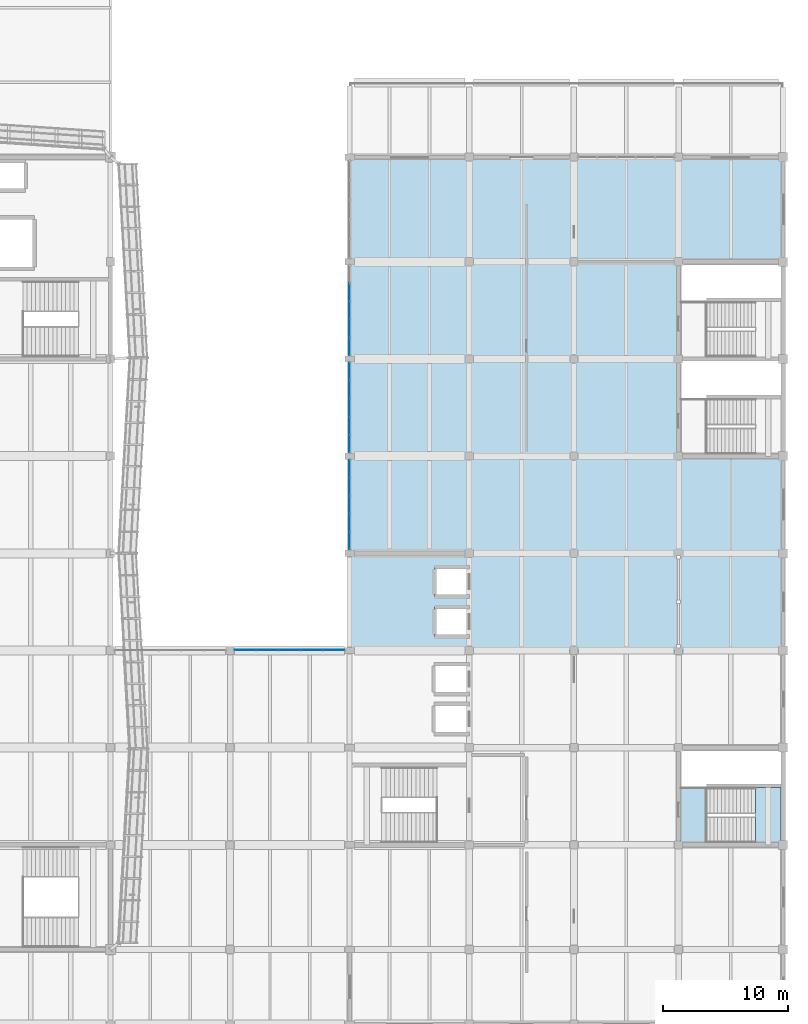
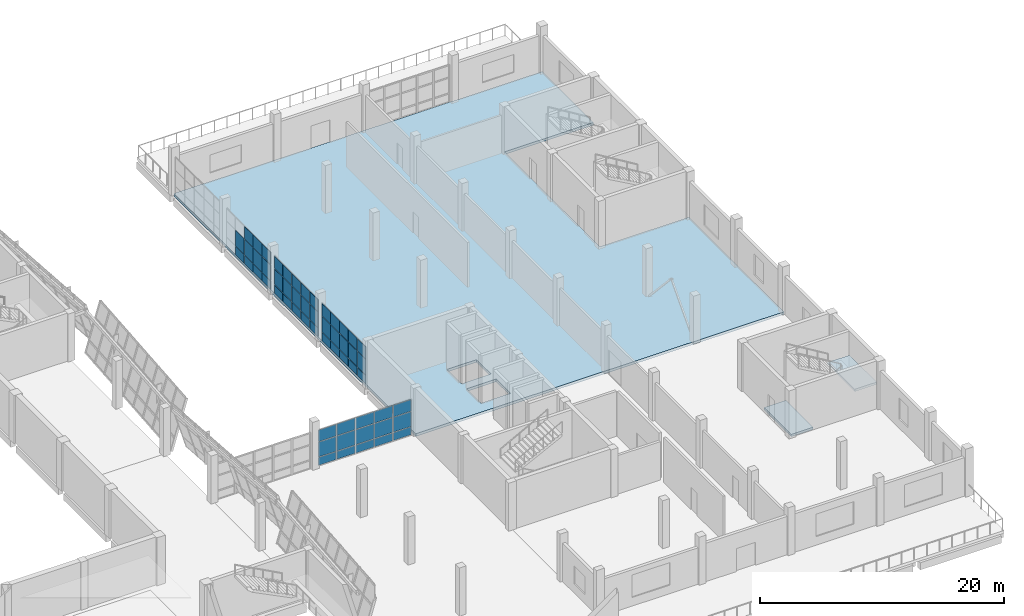
# One storey, part 58 of 79: 56 plates, 3 slabs, 5 elements without a shape of their own.
"""IFC4 building model written with IfcOpenShell, lengths in metres."""

from ifc_helpers import new_model, si_unit, direction, frame, origin, place, context, subcontext, project, spatial, polyline, outline, extrude, material, layer, layer_set, type_object, element, aggregate, save


model = new_model("IFC4")

# Units and contexts
model_context = context("Model", 3, precision=1e-05, world=origin(), true_north=direction((0.0, 1.0)))
body_context = subcontext(model_context, "Body", "Model", "MODEL_VIEW")
ifc_project = project(units=[si_unit("LENGTHUNIT", "METRE"), si_unit("AREAUNIT", "SQUARE_METRE"), si_unit("VOLUMEUNIT", "CUBIC_METRE"), si_unit("PLANEANGLEUNIT", "RADIAN"), si_unit("MASSUNIT", "GRAM", prefix="KILO")], contexts=[model_context])

# Site, building, storey
site_placement = place(None, origin())
site = spatial("IfcSite", under=ifc_project, at=site_placement, CompositionType="ELEMENT")
building_placement = place(site_placement, origin())
building = spatial("IfcBuilding", under=site, at=building_placement, Name="Pellamere Symphony Hall", CompositionType="ELEMENT")
storey_placement = place(building_placement, frame((0.0, 0.0, 10.199951171875)))
storey = spatial("IfcBuildingStorey", under=building, at=storey_placement, Name="L02", CompositionType="ELEMENT", Elevation=10.199951171875)

# Curtain wall, plates
ifc_material_1 = material(Name="Thermally Broken Anodised Aluminium 6063-T6 Curtain Wall", Category="aluminium")
curtain_wall_type_1 = type_object("IfcCurtainWallType", Name="Curtain Wall CW-03 (Sculpture Court Glazed Link Curtain Wall)", PredefinedType="NOTDEFINED", material=ifc_material_1)
curtain_wall_1_placement = place(storey_placement, origin())
curtain_wall_1 = element("IfcCurtainWall", 1, at=curtain_wall_1_placement, inside=storey, type_object=curtain_wall_type_1, Name="Sculpture Court Link Curtain Wall (L02 Bay 2)", PredefinedType="NOTDEFINED")
ifc_material_2 = material(Name="Brushed Champagne-Anodised Aluminium Acoustic Cassette", Category="aluminium")
ifc_layer_1 = layer(ifc_material_2, 0.044921875, Name="Brushed Champagne-Anodised Aluminium Acoustic Cassette")
ifc_layer_set_1 = layer_set([ifc_layer_1], Name="Brushed Champagne-Anodised Aluminium Acoustic Cassette")
plate_type_1 = type_object("IfcPlateType", Name="Facade Panel CL-02 45mm", PredefinedType="CURTAIN_PANEL", material=ifc_layer_set_1)
plate_1_placement = place(storey_placement, frame((128.784912109375, 54.0, 0.06005859375), z_axis=(0.0, -1.0, 0.0), x_axis=(1.0, 0.0, 0.0)))
plate_1 = element("IfcPlate", 2, at=plate_1_placement, type_object=plate_type_1, Name="CW3-106 crystal glass panel 1.1", PredefinedType="CURTAIN_PANEL", context=body_context, shape_type="SweptSolid", body=[
    extrude(outline(polyline([(0.0, 0.0), (1.690185546875, 0.0), (1.690185546875, 0.78369140625), (0.0, 0.78369140625), (0.0, 0.0)])), origin(), (0.0, 0.0, -1.0), 0.044921875),
])
plate_2_placement = place(storey_placement, frame((128.784912109375, 54.0, 0.903564453125), z_axis=(0.0, -1.0, 0.0), x_axis=(1.0, 0.0, 0.0)))
plate_2 = element("IfcPlate", 3, at=plate_2_placement, type_object=plate_type_1, Name="CW3-106 crystal glass panel 1.2", PredefinedType="CURTAIN_PANEL", context=body_context, shape_type="SweptSolid", body=[
    extrude(outline(polyline([(0.0, 0.0), (1.690185546875, 0.0), (1.690185546875, 1.468994140625), (0.0, 1.468994140625), (0.0, 0.0)])), origin(), (0.0, 0.0, -1.0), 0.044921875),
])
plate_3_placement = place(storey_placement, frame((128.784912109375, 54.0, 2.432373046875), z_axis=(0.0, -1.0, 0.0), x_axis=(1.0, 0.0, 0.0)))
plate_3 = element("IfcPlate", 4, at=plate_3_placement, type_object=plate_type_1, Name="CW3-106 crystal glass panel 1.3", PredefinedType="CURTAIN_PANEL", context=body_context, shape_type="SweptSolid", body=[
    extrude(outline(polyline([(0.0, 0.0), (1.690185546875, 0.0), (1.690185546875, 1.147705078125), (0.0, 1.147705078125), (0.0, 0.0)])), origin(), (0.0, 0.0, -1.0), 0.044921875),
])
plate_4_placement = place(storey_placement, frame((130.534912109375, 54.0, 0.06005859375), z_axis=(0.0, -1.0, 0.0), x_axis=(1.0, 0.0, 0.0)))
plate_4 = element("IfcPlate", 5, at=plate_4_placement, type_object=plate_type_1, Name="CW3-106 crystal glass panel 2.1", PredefinedType="CURTAIN_PANEL", context=body_context, shape_type="SweptSolid", body=[
    extrude(outline(polyline([(0.0, 0.0), (1.719970703125, 0.0), (1.719970703125, 0.78369140625), (0.0, 0.78369140625), (0.0, 0.0)])), origin(), (0.0, 0.0, -1.0), 0.044921875),
])
plate_5_placement = place(storey_placement, frame((130.534912109375, 54.0, 0.903564453125), z_axis=(0.0, -1.0, 0.0), x_axis=(1.0, 0.0, 0.0)))
plate_5 = element("IfcPlate", 6, at=plate_5_placement, type_object=plate_type_1, Name="CW3-106 crystal glass panel 2.2", PredefinedType="CURTAIN_PANEL", context=body_context, shape_type="SweptSolid", body=[
    extrude(outline(polyline([(0.0, 0.0), (1.719970703125, 0.0), (1.719970703125, 1.468994140625), (0.0, 1.468994140625), (0.0, 0.0)])), origin(), (0.0, 0.0, -1.0), 0.044921875),
])
plate_6_placement = place(storey_placement, frame((130.534912109375, 54.0, 2.432373046875), z_axis=(0.0, -1.0, 0.0), x_axis=(1.0, 0.0, 0.0)))
plate_6 = element("IfcPlate", 7, at=plate_6_placement, type_object=plate_type_1, Name="CW3-106 crystal glass panel 2.3", PredefinedType="CURTAIN_PANEL", context=body_context, shape_type="SweptSolid", body=[
    extrude(outline(polyline([(0.0, 0.0), (1.719970703125, 0.0), (1.719970703125, 1.147705078125), (0.0, 1.147705078125), (0.0, 0.0)])), origin(), (0.0, 0.0, -1.0), 0.044921875),
])
plate_7_placement = place(storey_placement, frame((132.31494140625, 54.0, 0.06005859375), z_axis=(0.0, -1.0, 0.0), x_axis=(1.0, 0.0, 0.0)))
plate_7 = element("IfcPlate", 8, at=plate_7_placement, type_object=plate_type_1, Name="CW3-106 crystal glass panel 3.1", PredefinedType="CURTAIN_PANEL", context=body_context, shape_type="SweptSolid", body=[
    extrude(outline(polyline([(0.0, 0.0), (1.719970703125, 0.0), (1.719970703125, 0.78369140625), (0.0, 0.78369140625), (0.0, 0.0)])), origin(), (0.0, 0.0, -1.0), 0.044921875),
])
plate_8_placement = place(storey_placement, frame((132.31494140625, 54.0, 0.903564453125), z_axis=(0.0, -1.0, 0.0), x_axis=(1.0, 0.0, 0.0)))
plate_8 = element("IfcPlate", 9, at=plate_8_placement, type_object=plate_type_1, Name="CW3-106 crystal glass panel 3.2", PredefinedType="CURTAIN_PANEL", context=body_context, shape_type="SweptSolid", body=[
    extrude(outline(polyline([(0.0, 0.0), (1.719970703125, 0.0), (1.719970703125, 1.468994140625), (0.0, 1.468994140625), (0.0, 0.0)])), origin(), (0.0, 0.0, -1.0), 0.044921875),
])
plate_9_placement = place(storey_placement, frame((132.31494140625, 54.0, 2.432373046875), z_axis=(0.0, -1.0, 0.0), x_axis=(1.0, 0.0, 0.0)))
plate_9 = element("IfcPlate", 10, at=plate_9_placement, type_object=plate_type_1, Name="CW3-106 crystal glass panel 3.3", PredefinedType="CURTAIN_PANEL", context=body_context, shape_type="SweptSolid", body=[
    extrude(outline(polyline([(0.0, 0.0), (1.719970703125, 0.0), (1.719970703125, 1.147705078125), (0.0, 1.147705078125), (0.0, 0.0)])), origin(), (0.0, 0.0, -1.0), 0.044921875),
])
plate_10_placement = place(storey_placement, frame((134.094970703125, 54.0, 0.06005859375), z_axis=(0.0, -1.0, 0.0), x_axis=(1.0, 0.0, 0.0)))
plate_10 = element("IfcPlate", 11, at=plate_10_placement, type_object=plate_type_1, Name="CW3-106 crystal glass panel 4.1", PredefinedType="CURTAIN_PANEL", context=body_context, shape_type="SweptSolid", body=[
    extrude(outline(polyline([(0.0, 0.0), (1.719970703125, 0.0), (1.719970703125, 0.78369140625), (0.0, 0.78369140625), (0.0, 0.0)])), origin(), (0.0, 0.0, -1.0), 0.044921875),
])
plate_11_placement = place(storey_placement, frame((134.094970703125, 54.0, 0.903564453125), z_axis=(0.0, -1.0, 0.0), x_axis=(1.0, 0.0, 0.0)))
plate_11 = element("IfcPlate", 12, at=plate_11_placement, type_object=plate_type_1, Name="CW3-106 crystal glass panel 4.2", PredefinedType="CURTAIN_PANEL", context=body_context, shape_type="SweptSolid", body=[
    extrude(outline(polyline([(0.0, 0.0), (1.719970703125, 0.0), (1.719970703125, 1.468994140625), (0.0, 1.468994140625), (0.0, 0.0)])), origin(), (0.0, 0.0, -1.0), 0.044921875),
])
plate_12_placement = place(storey_placement, frame((134.094970703125, 54.0, 2.432373046875), z_axis=(0.0, -1.0, 0.0), x_axis=(1.0, 0.0, 0.0)))
plate_12 = element("IfcPlate", 13, at=plate_12_placement, type_object=plate_type_1, Name="CW3-106 crystal glass panel 4.3", PredefinedType="CURTAIN_PANEL", context=body_context, shape_type="SweptSolid", body=[
    extrude(outline(polyline([(0.0, 0.0), (1.719970703125, 0.0), (1.719970703125, 1.147705078125), (0.0, 1.147705078125), (0.0, 0.0)])), origin(), (0.0, 0.0, -1.0), 0.044921875),
])
plate_13_placement = place(storey_placement, frame((135.875, 54.0, 0.06005859375), z_axis=(0.0, -1.0, 0.0), x_axis=(1.0, 0.0, 0.0)))
plate_13 = element("IfcPlate", 14, at=plate_13_placement, type_object=plate_type_1, Name="CW3-106 crystal glass panel 5.1", PredefinedType="CURTAIN_PANEL", context=body_context, shape_type="SweptSolid", body=[
    extrude(outline(polyline([(0.0, 0.0), (1.68994140625, 0.0), (1.68994140625, 0.78369140625), (0.0, 0.78369140625), (0.0, 0.0)])), origin(), (0.0, 0.0, -1.0), 0.044921875),
])
plate_14_placement = place(storey_placement, frame((135.875, 54.0, 0.903564453125), z_axis=(0.0, -1.0, 0.0), x_axis=(1.0, 0.0, 0.0)))
plate_14 = element("IfcPlate", 15, at=plate_14_placement, type_object=plate_type_1, Name="CW3-106 crystal glass panel 5.2", PredefinedType="CURTAIN_PANEL", context=body_context, shape_type="SweptSolid", body=[
    extrude(outline(polyline([(0.0, 0.0), (1.68994140625, 0.0), (1.68994140625, 1.468994140625), (0.0, 1.468994140625), (0.0, 0.0)])), origin(), (0.0, 0.0, -1.0), 0.044921875),
])
plate_15_placement = place(storey_placement, frame((135.875, 54.0, 2.432373046875), z_axis=(0.0, -1.0, 0.0), x_axis=(1.0, 0.0, 0.0)))
plate_15 = element("IfcPlate", 16, at=plate_15_placement, type_object=plate_type_1, Name="CW3-106 crystal glass panel 5.3", PredefinedType="CURTAIN_PANEL", context=body_context, shape_type="SweptSolid", body=[
    extrude(outline(polyline([(0.0, 0.0), (1.68994140625, 0.0), (1.68994140625, 1.147705078125), (0.0, 1.147705078125), (0.0, 0.0)])), origin(), (0.0, 0.0, -1.0), 0.044921875),
])
aggregate(curtain_wall_1, [plate_1, plate_2, plate_3, plate_4, plate_5, plate_6, plate_7, plate_8, plate_9, plate_10, plate_11, plate_12, plate_13, plate_14, plate_15])

curtain_wall_type_2 = type_object("IfcCurtainWallType", Name="Curtain Wall CW-05 (Artists Wing North Studio Ribbon Curtain Wall)", PredefinedType="NOTDEFINED", material=ifc_material_1)
curtain_wall_2_placement = place(storey_placement, origin())
curtain_wall_2 = element("IfcCurtainWall", 17, at=curtain_wall_2_placement, inside=storey, type_object=curtain_wall_type_2, Name="Sculpture Court East Wing Curtain Wall (L02 Bay 1)", PredefinedType="NOTDEFINED")
ifc_material_3 = material(Name="Triple Low-E Argon Acoustic Glazing 36mm", Category="glass")
ifc_layer_2 = layer(ifc_material_3, 0.035888671875, Name="Triple Low-E Argon Acoustic Glazing 36mm")
ifc_layer_set_2 = layer_set([ifc_layer_2], Name="Triple Low-E Argon Acoustic Glazing 36mm")
plate_type_2 = type_object("IfcPlateType", Name="Facade Panel GL-01 36mm", PredefinedType="CURTAIN_PANEL", material=ifc_layer_set_2)
plate_16_placement = place(storey_placement, frame((138.0, 62.110107421875, 0.06005859375), z_axis=(1.0, 0.0, 0.0), x_axis=(0.0, 1.0, 0.0)))
plate_16 = element("IfcPlate", 18, at=plate_16_placement, type_object=plate_type_2, Name="CW5-137 crystal glass panel 1.1", PredefinedType="CURTAIN_PANEL", context=body_context, shape_type="SweptSolid", body=[
    extrude(outline(polyline([(0.0, 0.0), (1.369873046875, 0.0), (1.369873046875, 0.826904296875), (0.0, 0.826904296875), (0.0, 0.0)])), origin(), (0.0, 0.0, -1.0), 0.035888671875),
])
plate_17_placement = place(storey_placement, frame((138.0, 62.110107421875, 0.94677734375), z_axis=(1.0, 0.0, 0.0), x_axis=(0.0, 1.0, 0.0)))
plate_17 = element("IfcPlate", 19, at=plate_17_placement, type_object=plate_type_2, Name="CW5-137 crystal glass panel 1.2", PredefinedType="CURTAIN_PANEL", context=body_context, shape_type="SweptSolid", body=[
    extrude(outline(polyline([(0.0, 0.0), (1.369873046875, 0.0), (1.369873046875, 1.54443359375), (0.0, 1.54443359375), (0.0, 0.0)])), origin(), (0.0, 0.0, -1.0), 0.035888671875),
])
plate_18_placement = place(storey_placement, frame((138.0, 62.110107421875, 2.55126953125), z_axis=(1.0, 0.0, 0.0), x_axis=(0.0, 1.0, 0.0)))
plate_18 = element("IfcPlate", 20, at=plate_18_placement, type_object=plate_type_2, Name="CW5-137 crystal glass panel 1.3", PredefinedType="CURTAIN_PANEL", context=body_context, shape_type="SweptSolid", body=[
    extrude(outline(polyline([(0.0, 0.0), (1.369873046875, 0.0), (1.369873046875, 1.208740234375), (0.0, 1.208740234375), (0.0, 0.0)])), origin(), (0.0, 0.0, -1.0), 0.035888671875),
])
plate_19_placement = place(storey_placement, frame((138.0, 63.5400390625, 0.06005859375), z_axis=(1.0, 0.0, 0.0), x_axis=(0.0, 1.0, 0.0)))
plate_19 = element("IfcPlate", 21, at=plate_19_placement, type_object=plate_type_2, Name="CW5-137 crystal glass panel 2.1", PredefinedType="CURTAIN_PANEL", context=body_context, shape_type="SweptSolid", body=[
    extrude(outline(polyline([(0.0, 0.0), (1.39990234375, 0.0), (1.39990234375, 0.826904296875), (0.0, 0.826904296875), (0.0, 0.0)])), origin(), (0.0, 0.0, -1.0), 0.035888671875),
])
plate_20_placement = place(storey_placement, frame((138.0, 63.5400390625, 0.94677734375), z_axis=(1.0, 0.0, 0.0), x_axis=(0.0, 1.0, 0.0)))
plate_20 = element("IfcPlate", 22, at=plate_20_placement, type_object=plate_type_2, Name="CW5-137 crystal glass panel 2.2", PredefinedType="CURTAIN_PANEL", context=body_context, shape_type="SweptSolid", body=[
    extrude(outline(polyline([(0.0, 0.0), (1.39990234375, 0.0), (1.39990234375, 1.54443359375), (0.0, 1.54443359375), (0.0, 0.0)])), origin(), (0.0, 0.0, -1.0), 0.035888671875),
])
plate_21_placement = place(storey_placement, frame((138.0, 63.5400390625, 2.55126953125), z_axis=(1.0, 0.0, 0.0), x_axis=(0.0, 1.0, 0.0)))
plate_21 = element("IfcPlate", 23, at=plate_21_placement, type_object=plate_type_2, Name="CW5-137 crystal glass panel 2.3", PredefinedType="CURTAIN_PANEL", context=body_context, shape_type="SweptSolid", body=[
    extrude(outline(polyline([(0.0, 0.0), (1.39990234375, 0.0), (1.39990234375, 1.208740234375), (0.0, 1.208740234375), (0.0, 0.0)])), origin(), (0.0, 0.0, -1.0), 0.035888671875),
])
plate_22_placement = place(storey_placement, frame((138.0, 65.0, 0.06005859375), z_axis=(1.0, 0.0, 0.0), x_axis=(0.0, 1.0, 0.0)))
plate_22 = element("IfcPlate", 24, at=plate_22_placement, type_object=plate_type_2, Name="CW5-137 crystal glass panel 3.1", PredefinedType="CURTAIN_PANEL", context=body_context, shape_type="SweptSolid", body=[
    extrude(outline(polyline([(0.0, 0.0), (1.39990234375, 0.0), (1.39990234375, 0.826904296875), (0.0, 0.826904296875), (0.0, 0.0)])), origin(), (0.0, 0.0, -1.0), 0.035888671875),
])
plate_23_placement = place(storey_placement, frame((138.0, 65.0, 0.94677734375), z_axis=(1.0, 0.0, 0.0), x_axis=(0.0, 1.0, 0.0)))
plate_23 = element("IfcPlate", 25, at=plate_23_placement, type_object=plate_type_2, Name="CW5-137 crystal glass panel 3.2", PredefinedType="CURTAIN_PANEL", context=body_context, shape_type="SweptSolid", body=[
    extrude(outline(polyline([(0.0, 0.0), (1.39990234375, 0.0), (1.39990234375, 1.54443359375), (0.0, 1.54443359375), (0.0, 0.0)])), origin(), (0.0, 0.0, -1.0), 0.035888671875),
])
plate_24_placement = place(storey_placement, frame((138.0, 65.0, 2.55126953125), z_axis=(1.0, 0.0, 0.0), x_axis=(0.0, 1.0, 0.0)))
plate_24 = element("IfcPlate", 26, at=plate_24_placement, type_object=plate_type_2, Name="CW5-137 crystal glass panel 3.3", PredefinedType="CURTAIN_PANEL", context=body_context, shape_type="SweptSolid", body=[
    extrude(outline(polyline([(0.0, 0.0), (1.39990234375, 0.0), (1.39990234375, 1.208740234375), (0.0, 1.208740234375), (0.0, 0.0)])), origin(), (0.0, 0.0, -1.0), 0.035888671875),
])
plate_25_placement = place(storey_placement, frame((138.0, 66.4599609375, 0.06005859375), z_axis=(1.0, 0.0, 0.0), x_axis=(0.0, 1.0, 0.0)))
plate_25 = element("IfcPlate", 27, at=plate_25_placement, type_object=plate_type_2, Name="CW5-137 crystal glass panel 4.1", PredefinedType="CURTAIN_PANEL", context=body_context, shape_type="SweptSolid", body=[
    extrude(outline(polyline([(0.0, 0.0), (1.400146484375, 0.0), (1.400146484375, 0.826904296875), (0.0, 0.826904296875), (0.0, 0.0)])), origin(), (0.0, 0.0, -1.0), 0.035888671875),
])
plate_26_placement = place(storey_placement, frame((138.0, 66.4599609375, 0.94677734375), z_axis=(1.0, 0.0, 0.0), x_axis=(0.0, 1.0, 0.0)))
plate_26 = element("IfcPlate", 28, at=plate_26_placement, type_object=plate_type_2, Name="CW5-137 crystal glass panel 4.2", PredefinedType="CURTAIN_PANEL", context=body_context, shape_type="SweptSolid", body=[
    extrude(outline(polyline([(0.0, 0.0), (1.400146484375, 0.0), (1.400146484375, 1.54443359375), (0.0, 1.54443359375), (0.0, 0.0)])), origin(), (0.0, 0.0, -1.0), 0.035888671875),
])
plate_27_placement = place(storey_placement, frame((138.0, 66.4599609375, 2.55126953125), z_axis=(1.0, 0.0, 0.0), x_axis=(0.0, 1.0, 0.0)))
plate_27 = element("IfcPlate", 29, at=plate_27_placement, type_object=plate_type_2, Name="CW5-137 crystal glass panel 4.3", PredefinedType="CURTAIN_PANEL", context=body_context, shape_type="SweptSolid", body=[
    extrude(outline(polyline([(0.0, 0.0), (1.400146484375, 0.0), (1.400146484375, 1.208740234375), (0.0, 1.208740234375), (0.0, 0.0)])), origin(), (0.0, 0.0, -1.0), 0.035888671875),
])
plate_28_placement = place(storey_placement, frame((138.0, 67.919921875, 0.06005859375), z_axis=(1.0, 0.0, 0.0), x_axis=(0.0, 1.0, 0.0)))
plate_28 = element("IfcPlate", 30, at=plate_28_placement, type_object=plate_type_2, Name="CW5-137 crystal glass panel 5.1", PredefinedType="CURTAIN_PANEL", context=body_context, shape_type="SweptSolid", body=[
    extrude(outline(polyline([(0.0, 0.0), (1.3701171875, 0.0), (1.3701171875, 0.826904296875), (0.0, 0.826904296875), (0.0, 0.0)])), origin(), (0.0, 0.0, -1.0), 0.035888671875),
])
plate_29_placement = place(storey_placement, frame((138.0, 67.919921875, 0.94677734375), z_axis=(1.0, 0.0, 0.0), x_axis=(0.0, 1.0, 0.0)))
plate_29 = element("IfcPlate", 31, at=plate_29_placement, type_object=plate_type_2, Name="CW5-137 crystal glass panel 5.2", PredefinedType="CURTAIN_PANEL", context=body_context, shape_type="SweptSolid", body=[
    extrude(outline(polyline([(0.0, 0.0), (1.3701171875, 0.0), (1.3701171875, 1.54443359375), (0.0, 1.54443359375), (0.0, 0.0)])), origin(), (0.0, 0.0, -1.0), 0.035888671875),
])
plate_30_placement = place(storey_placement, frame((138.0, 67.919921875, 2.55126953125), z_axis=(1.0, 0.0, 0.0), x_axis=(0.0, 1.0, 0.0)))
plate_30 = element("IfcPlate", 32, at=plate_30_placement, type_object=plate_type_2, Name="CW5-137 crystal glass panel 5.3", PredefinedType="CURTAIN_PANEL", context=body_context, shape_type="SweptSolid", body=[
    extrude(outline(polyline([(0.0, 0.0), (1.3701171875, 0.0), (1.3701171875, 1.208740234375), (0.0, 1.208740234375), (0.0, 0.0)])), origin(), (0.0, 0.0, -1.0), 0.035888671875),
])
aggregate(curtain_wall_2, [plate_16, plate_17, plate_18, plate_19, plate_20, plate_21, plate_22, plate_23, plate_24, plate_25, plate_26, plate_27, plate_28, plate_29, plate_30])

curtain_wall_3_placement = place(storey_placement, origin())
curtain_wall_3 = element("IfcCurtainWall", 33, at=curtain_wall_3_placement, inside=storey, type_object=curtain_wall_type_2, Name="Sculpture Court East Wing Curtain Wall (L02 Bay 2)", PredefinedType="NOTDEFINED")
plate_31_placement = place(storey_placement, frame((138.0, 69.909912109375, 0.06005859375), z_axis=(1.0, 0.0, 0.0), x_axis=(0.0, 1.0, 0.0)))
plate_31 = element("IfcPlate", 34, at=plate_31_placement, type_object=plate_type_2, Name="CW5-138 crystal glass panel 1.1", PredefinedType="CURTAIN_PANEL", context=body_context, shape_type="SweptSolid", body=[
    extrude(outline(polyline([(0.0, 0.0), (1.3701171875, 0.0), (1.3701171875, 0.826904296875), (0.0, 0.826904296875), (0.0, 0.0)])), origin(), (0.0, 0.0, -1.0), 0.035888671875),
])
plate_32_placement = place(storey_placement, frame((138.0, 69.909912109375, 0.94677734375), z_axis=(1.0, 0.0, 0.0), x_axis=(0.0, 1.0, 0.0)))
plate_32 = element("IfcPlate", 35, at=plate_32_placement, type_object=plate_type_2, Name="CW5-138 crystal glass panel 1.2", PredefinedType="CURTAIN_PANEL", context=body_context, shape_type="SweptSolid", body=[
    extrude(outline(polyline([(0.0, 0.0), (1.3701171875, 0.0), (1.3701171875, 1.54443359375), (0.0, 1.54443359375), (0.0, 0.0)])), origin(), (0.0, 0.0, -1.0), 0.035888671875),
])
plate_33_placement = place(storey_placement, frame((138.0, 69.909912109375, 2.55126953125), z_axis=(1.0, 0.0, 0.0), x_axis=(0.0, 1.0, 0.0)))
plate_33 = element("IfcPlate", 36, at=plate_33_placement, type_object=plate_type_2, Name="CW5-138 crystal glass panel 1.3", PredefinedType="CURTAIN_PANEL", context=body_context, shape_type="SweptSolid", body=[
    extrude(outline(polyline([(0.0, 0.0), (1.3701171875, 0.0), (1.3701171875, 1.208740234375), (0.0, 1.208740234375), (0.0, 0.0)])), origin(), (0.0, 0.0, -1.0), 0.035888671875),
])
plate_34_placement = place(storey_placement, frame((138.0, 71.340087890625, 0.06005859375), z_axis=(1.0, 0.0, 0.0), x_axis=(0.0, 1.0, 0.0)))
plate_34 = element("IfcPlate", 37, at=plate_34_placement, type_object=plate_type_2, Name="CW5-138 crystal glass panel 2.1", PredefinedType="CURTAIN_PANEL", context=body_context, shape_type="SweptSolid", body=[
    extrude(outline(polyline([(0.0, 0.0), (1.39990234375, 0.0), (1.39990234375, 0.826904296875), (0.0, 0.826904296875), (0.0, 0.0)])), origin(), (0.0, 0.0, -1.0), 0.035888671875),
])
plate_35_placement = place(storey_placement, frame((138.0, 71.340087890625, 0.94677734375), z_axis=(1.0, 0.0, 0.0), x_axis=(0.0, 1.0, 0.0)))
plate_35 = element("IfcPlate", 38, at=plate_35_placement, type_object=plate_type_2, Name="CW5-138 crystal glass panel 2.2", PredefinedType="CURTAIN_PANEL", context=body_context, shape_type="SweptSolid", body=[
    extrude(outline(polyline([(0.0, 0.0), (1.39990234375, 0.0), (1.39990234375, 1.54443359375), (0.0, 1.54443359375), (0.0, 0.0)])), origin(), (0.0, 0.0, -1.0), 0.035888671875),
])
plate_36_placement = place(storey_placement, frame((138.0, 71.340087890625, 2.55126953125), z_axis=(1.0, 0.0, 0.0), x_axis=(0.0, 1.0, 0.0)))
plate_36 = element("IfcPlate", 39, at=plate_36_placement, type_object=plate_type_2, Name="CW5-138 crystal glass panel 2.3", PredefinedType="CURTAIN_PANEL", context=body_context, shape_type="SweptSolid", body=[
    extrude(outline(polyline([(0.0, 0.0), (1.39990234375, 0.0), (1.39990234375, 1.208740234375), (0.0, 1.208740234375), (0.0, 0.0)])), origin(), (0.0, 0.0, -1.0), 0.035888671875),
])
plate_37_placement = place(storey_placement, frame((138.0, 72.800048828125, 0.06005859375), z_axis=(1.0, 0.0, 0.0), x_axis=(0.0, 1.0, 0.0)))
plate_37 = element("IfcPlate", 40, at=plate_37_placement, type_object=plate_type_2, Name="CW5-138 crystal glass panel 3.1", PredefinedType="CURTAIN_PANEL", context=body_context, shape_type="SweptSolid", body=[
    extrude(outline(polyline([(0.0, 0.0), (1.39990234375, 0.0), (1.39990234375, 0.826904296875), (0.0, 0.826904296875), (0.0, 0.0)])), origin(), (0.0, 0.0, -1.0), 0.035888671875),
])
plate_38_placement = place(storey_placement, frame((138.0, 72.800048828125, 0.94677734375), z_axis=(1.0, 0.0, 0.0), x_axis=(0.0, 1.0, 0.0)))
plate_38 = element("IfcPlate", 41, at=plate_38_placement, type_object=plate_type_2, Name="CW5-138 crystal glass panel 3.2", PredefinedType="CURTAIN_PANEL", context=body_context, shape_type="SweptSolid", body=[
    extrude(outline(polyline([(0.0, 0.0), (1.39990234375, 0.0), (1.39990234375, 1.54443359375), (0.0, 1.54443359375), (0.0, 0.0)])), origin(), (0.0, 0.0, -1.0), 0.035888671875),
])
plate_39_placement = place(storey_placement, frame((138.0, 72.800048828125, 2.55126953125), z_axis=(1.0, 0.0, 0.0), x_axis=(0.0, 1.0, 0.0)))
plate_39 = element("IfcPlate", 42, at=plate_39_placement, type_object=plate_type_2, Name="CW5-138 crystal glass panel 3.3", PredefinedType="CURTAIN_PANEL", context=body_context, shape_type="SweptSolid", body=[
    extrude(outline(polyline([(0.0, 0.0), (1.39990234375, 0.0), (1.39990234375, 1.208740234375), (0.0, 1.208740234375), (0.0, 0.0)])), origin(), (0.0, 0.0, -1.0), 0.035888671875),
])
plate_40_placement = place(storey_placement, frame((138.0, 74.260009765625, 0.06005859375), z_axis=(1.0, 0.0, 0.0), x_axis=(0.0, 1.0, 0.0)))
plate_40 = element("IfcPlate", 43, at=plate_40_placement, type_object=plate_type_2, Name="CW5-138 crystal glass panel 4.1", PredefinedType="CURTAIN_PANEL", context=body_context, shape_type="SweptSolid", body=[
    extrude(outline(polyline([(0.0, 0.0), (1.39990234375, 0.0), (1.39990234375, 0.826904296875), (0.0, 0.826904296875), (0.0, 0.0)])), origin(), (0.0, 0.0, -1.0), 0.035888671875),
])
plate_41_placement = place(storey_placement, frame((138.0, 74.260009765625, 0.94677734375), z_axis=(1.0, 0.0, 0.0), x_axis=(0.0, 1.0, 0.0)))
plate_41 = element("IfcPlate", 44, at=plate_41_placement, type_object=plate_type_2, Name="CW5-138 crystal glass panel 4.2", PredefinedType="CURTAIN_PANEL", context=body_context, shape_type="SweptSolid", body=[
    extrude(outline(polyline([(0.0, 0.0), (1.39990234375, 0.0), (1.39990234375, 1.54443359375), (0.0, 1.54443359375), (0.0, 0.0)])), origin(), (0.0, 0.0, -1.0), 0.035888671875),
])
plate_42_placement = place(storey_placement, frame((138.0, 74.260009765625, 2.55126953125), z_axis=(1.0, 0.0, 0.0), x_axis=(0.0, 1.0, 0.0)))
plate_42 = element("IfcPlate", 45, at=plate_42_placement, type_object=plate_type_2, Name="CW5-138 crystal glass panel 4.3", PredefinedType="CURTAIN_PANEL", context=body_context, shape_type="SweptSolid", body=[
    extrude(outline(polyline([(0.0, 0.0), (1.39990234375, 0.0), (1.39990234375, 1.208740234375), (0.0, 1.208740234375), (0.0, 0.0)])), origin(), (0.0, 0.0, -1.0), 0.035888671875),
])
plate_43_placement = place(storey_placement, frame((138.0, 75.719970703125, 0.06005859375), z_axis=(1.0, 0.0, 0.0), x_axis=(0.0, 1.0, 0.0)))
plate_43 = element("IfcPlate", 46, at=plate_43_placement, type_object=plate_type_2, Name="CW5-138 crystal glass panel 5.1", PredefinedType="CURTAIN_PANEL", context=body_context, shape_type="SweptSolid", body=[
    extrude(outline(polyline([(0.0, 0.0), (1.3701171875, 0.0), (1.3701171875, 0.826904296875), (0.0, 0.826904296875), (0.0, 0.0)])), origin(), (0.0, 0.0, -1.0), 0.035888671875),
])
plate_44_placement = place(storey_placement, frame((138.0, 75.719970703125, 0.94677734375), z_axis=(1.0, 0.0, 0.0), x_axis=(0.0, 1.0, 0.0)))
plate_44 = element("IfcPlate", 47, at=plate_44_placement, type_object=plate_type_2, Name="CW5-138 crystal glass panel 5.2", PredefinedType="CURTAIN_PANEL", context=body_context, shape_type="SweptSolid", body=[
    extrude(outline(polyline([(0.0, 0.0), (1.3701171875, 0.0), (1.3701171875, 1.54443359375), (0.0, 1.54443359375), (0.0, 0.0)])), origin(), (0.0, 0.0, -1.0), 0.035888671875),
])
plate_45_placement = place(storey_placement, frame((138.0, 75.719970703125, 2.55126953125), z_axis=(1.0, 0.0, 0.0), x_axis=(0.0, 1.0, 0.0)))
plate_45 = element("IfcPlate", 48, at=plate_45_placement, type_object=plate_type_2, Name="CW5-138 crystal glass panel 5.3", PredefinedType="CURTAIN_PANEL", context=body_context, shape_type="SweptSolid", body=[
    extrude(outline(polyline([(0.0, 0.0), (1.3701171875, 0.0), (1.3701171875, 1.208740234375), (0.0, 1.208740234375), (0.0, 0.0)])), origin(), (0.0, 0.0, -1.0), 0.035888671875),
])
aggregate(curtain_wall_3, [plate_31, plate_32, plate_33, plate_34, plate_35, plate_36, plate_37, plate_38, plate_39, plate_40, plate_41, plate_42, plate_43, plate_44, plate_45])

curtain_wall_4_placement = place(storey_placement, origin())
curtain_wall_4 = element("IfcCurtainWall", 49, at=curtain_wall_4_placement, inside=storey, type_object=curtain_wall_type_2, Name="Sculpture Court East Wing Curtain Wall (L02 Bay 3)", PredefinedType="NOTDEFINED")
plate_46_placement = place(storey_placement, frame((138.0, 77.7099609375, 0.06005859375), z_axis=(1.0, 0.0, 0.0), x_axis=(0.0, 1.0, 0.0)))
plate_46 = element("IfcPlate", 50, at=plate_46_placement, type_object=plate_type_2, Name="CW5-139 crystal glass panel 1.1", PredefinedType="CURTAIN_PANEL", context=body_context, shape_type="SweptSolid", body=[
    extrude(outline(polyline([(0.0, 0.0), (1.3701171875, 0.0), (1.3701171875, 0.826904296875), (0.0, 0.826904296875), (0.0, 0.0)])), origin(), (0.0, 0.0, -1.0), 0.035888671875),
])
plate_47_placement = place(storey_placement, frame((138.0, 77.7099609375, 0.94677734375), z_axis=(1.0, 0.0, 0.0), x_axis=(0.0, 1.0, 0.0)))
plate_47 = element("IfcPlate", 51, at=plate_47_placement, type_object=plate_type_2, Name="CW5-139 crystal glass panel 1.2", PredefinedType="CURTAIN_PANEL", context=body_context, shape_type="SweptSolid", body=[
    extrude(outline(polyline([(0.0, 0.0), (1.3701171875, 0.0), (1.3701171875, 1.54443359375), (0.0, 1.54443359375), (0.0, 0.0)])), origin(), (0.0, 0.0, -1.0), 0.035888671875),
])
plate_48_placement = place(storey_placement, frame((138.0, 77.7099609375, 2.55126953125), z_axis=(1.0, 0.0, 0.0), x_axis=(0.0, 1.0, 0.0)))
plate_48 = element("IfcPlate", 52, at=plate_48_placement, type_object=plate_type_2, Name="CW5-139 crystal glass panel 1.3", PredefinedType="CURTAIN_PANEL", context=body_context, shape_type="SweptSolid", body=[
    extrude(outline(polyline([(0.0, 0.0), (1.3701171875, 0.0), (1.3701171875, 1.208740234375), (0.0, 1.208740234375), (0.0, 0.0)])), origin(), (0.0, 0.0, -1.0), 0.035888671875),
])
plate_49_placement = place(storey_placement, frame((138.0, 79.139892578125, 0.06005859375), z_axis=(1.0, 0.0, 0.0), x_axis=(0.0, 1.0, 0.0)))
plate_49 = element("IfcPlate", 53, at=plate_49_placement, type_object=plate_type_2, Name="CW5-139 crystal glass panel 2.1", PredefinedType="CURTAIN_PANEL", context=body_context, shape_type="SweptSolid", body=[
    extrude(outline(polyline([(0.0, 0.0), (1.400146484375, 0.0), (1.400146484375, 0.826904296875), (0.0, 0.826904296875), (0.0, 0.0)])), origin(), (0.0, 0.0, -1.0), 0.035888671875),
])
plate_50_placement = place(storey_placement, frame((138.0, 79.139892578125, 0.94677734375), z_axis=(1.0, 0.0, 0.0), x_axis=(0.0, 1.0, 0.0)))
plate_50 = element("IfcPlate", 54, at=plate_50_placement, type_object=plate_type_2, Name="CW5-139 crystal glass panel 2.2", PredefinedType="CURTAIN_PANEL", context=body_context, shape_type="SweptSolid", body=[
    extrude(outline(polyline([(0.0, 0.0), (1.400146484375, 0.0), (1.400146484375, 1.54443359375), (0.0, 1.54443359375), (0.0, 0.0)])), origin(), (0.0, 0.0, -1.0), 0.035888671875),
])
plate_51_placement = place(storey_placement, frame((138.0, 79.139892578125, 2.55126953125), z_axis=(1.0, 0.0, 0.0), x_axis=(0.0, 1.0, 0.0)))
plate_51 = element("IfcPlate", 55, at=plate_51_placement, type_object=plate_type_2, Name="CW5-139 crystal glass panel 2.3", PredefinedType="CURTAIN_PANEL", context=body_context, shape_type="SweptSolid", body=[
    extrude(outline(polyline([(0.0, 0.0), (1.400146484375, 0.0), (1.400146484375, 1.208740234375), (0.0, 1.208740234375), (0.0, 0.0)])), origin(), (0.0, 0.0, -1.0), 0.035888671875),
])
plate_52_placement = place(storey_placement, frame((138.0, 80.60009765625, 0.06005859375), z_axis=(1.0, 0.0, 0.0), x_axis=(0.0, 1.0, 0.0)))
plate_52 = element("IfcPlate", 56, at=plate_52_placement, type_object=plate_type_2, Name="CW5-139 crystal glass panel 3.1", PredefinedType="CURTAIN_PANEL", context=body_context, shape_type="SweptSolid", body=[
    extrude(outline(polyline([(0.0, 0.0), (1.39990234375, 0.0), (1.39990234375, 0.826904296875), (0.0, 0.826904296875), (0.0, 0.0)])), origin(), (0.0, 0.0, -1.0), 0.035888671875),
])
plate_53_placement = place(storey_placement, frame((138.0, 80.60009765625, 0.94677734375), z_axis=(1.0, 0.0, 0.0), x_axis=(0.0, 1.0, 0.0)))
plate_53 = element("IfcPlate", 57, at=plate_53_placement, type_object=plate_type_2, Name="CW5-139 crystal glass panel 3.2", PredefinedType="CURTAIN_PANEL", context=body_context, shape_type="SweptSolid", body=[
    extrude(outline(polyline([(0.0, 0.0), (1.39990234375, 0.0), (1.39990234375, 1.54443359375), (0.0, 1.54443359375), (0.0, 0.0)])), origin(), (0.0, 0.0, -1.0), 0.035888671875),
])
plate_54_placement = place(storey_placement, frame((138.0, 80.60009765625, 2.55126953125), z_axis=(1.0, 0.0, 0.0), x_axis=(0.0, 1.0, 0.0)))
plate_54 = element("IfcPlate", 58, at=plate_54_placement, type_object=plate_type_2, Name="CW5-139 crystal glass panel 3.3", PredefinedType="CURTAIN_PANEL", context=body_context, shape_type="SweptSolid", body=[
    extrude(outline(polyline([(0.0, 0.0), (1.39990234375, 0.0), (1.39990234375, 1.208740234375), (0.0, 1.208740234375), (0.0, 0.0)])), origin(), (0.0, 0.0, -1.0), 0.035888671875),
])
plate_55_placement = place(storey_placement, frame((138.0, 82.06005859375, 0.06005859375), z_axis=(1.0, 0.0, 0.0), x_axis=(0.0, 1.0, 0.0)))
plate_55 = element("IfcPlate", 59, at=plate_55_placement, type_object=plate_type_2, Name="CW5-139 crystal glass panel 4.1", PredefinedType="CURTAIN_PANEL", context=body_context, shape_type="SweptSolid", body=[
    extrude(outline(polyline([(0.0, 0.0), (1.39990234375, 0.0), (1.39990234375, 0.826904296875), (0.0, 0.826904296875), (0.0, 0.0)])), origin(), (0.0, 0.0, -1.0), 0.035888671875),
])
plate_56_placement = place(storey_placement, frame((138.0, 82.06005859375, 0.94677734375), z_axis=(1.0, 0.0, 0.0), x_axis=(0.0, 1.0, 0.0)))
plate_56 = element("IfcPlate", 60, at=plate_56_placement, type_object=plate_type_2, Name="CW5-139 crystal glass panel 4.2", PredefinedType="CURTAIN_PANEL", context=body_context, shape_type="SweptSolid", body=[
    extrude(outline(polyline([(0.0, 0.0), (1.39990234375, 0.0), (1.39990234375, 1.54443359375), (0.0, 1.54443359375), (0.0, 0.0)])), origin(), (0.0, 0.0, -1.0), 0.035888671875),
])
aggregate(curtain_wall_4, [plate_46, plate_47, plate_48, plate_49, plate_50, plate_51, plate_52, plate_53, plate_54, plate_55, plate_56])

# Stair, slabs
ifc_material_4 = material(Name="Concrete 40 MPa", Category="concrete")
stair_type = type_object("IfcStairType", Name="Stair ST-B W2050", PredefinedType="HALF_TURN_STAIR", material=ifc_material_4)
stair_placement = place(storey_placement, origin())
stair = element("IfcStair", 61, at=stair_placement, inside=storey, type_object=stair_type, Name="Exit Stair ST06-L02 (L02 to L03)", PredefinedType="HALF_TURN_STAIR")
ifc_layer_3 = layer(ifc_material_4, 0.219970703125, Name="Concrete 40 MPa")
ifc_layer_set_3 = layer_set([ifc_layer_3], Name="Concrete 40 MPa")
slab_type_1 = type_object("IfcSlabType", Name="Stair Landing SL-01 220mm", PredefinedType="LANDING", material=ifc_layer_set_3)
slab_1_placement = place(storey_placement, frame((0.0, 0.0, -0.219970703125)))
slab_1 = element("IfcSlab", 62, at=slab_1_placement, type_object=slab_type_1, Name="Stair ST06-L02 Bottom Landing (L02)", PredefinedType="LANDING", context=body_context, shape_type="SweptSolid", body=[
    extrude(outline(polyline([(164.56005859375, 38.56005859375), (166.625, 38.56005859375), (166.625, 43.0), (164.56005859375, 43.0), (164.56005859375, 38.56005859375)])), origin(), (0.0, 0.0, 1.0), 0.219970703125),
])
slab_2_placement = place(storey_placement, frame((0.0, 0.0, 2.179931640625)))
slab_2 = element("IfcSlab", 63, at=slab_2_placement, type_object=slab_type_1, Name="Stair ST06-L02 Half Landing (L02)", PredefinedType="LANDING", context=body_context, shape_type="SweptSolid", body=[
    extrude(outline(polyline([(170.574951171875, 38.56005859375), (172.639892578125, 38.56005859375), (172.639892578125, 43.0), (170.574951171875, 43.0), (170.574951171875, 38.56005859375)])), origin(), (0.0, 0.0, 1.0), 0.22021484375),
])
aggregate(stair, [slab_1, slab_2])

# Slab
ifc_layer_4 = layer(ifc_material_4, 0.260009765625, Name="Concrete 40 MPa")
ifc_layer_set_4 = layer_set([ifc_layer_4], Name="Concrete 40 MPa")
slab_type_2 = type_object("IfcSlabType", Name="Structural Slab FS-04 260mm", PredefinedType="FLOOR", material=ifc_layer_set_4)
slab_3_placement = place(storey_placement, frame((0.0, 0.0, -0.260009765625)))
element("IfcSlab", 64, at=slab_3_placement, inside=storey, type_object=slab_type_2, Name="Floor Slab L02-V5B-1", PredefinedType="FLOOR", context=body_context, shape_type="SweptSolid", body=[
    extrude(outline(polyline([(172.800048828125, 54.0), (138.0, 54.0), (138.0, 93.60009765625), (172.800048828125, 93.60009765625), (172.800048828125, 85.199951171875), (164.39990234375, 85.199951171875), (164.39990234375, 77.39990234375), (164.39990234375, 69.60009765625), (172.800048828125, 69.60009765625), (172.800048828125, 54.0)]), holes=[polyline([(147.60009765625, 57.47509765625), (144.800048828125, 57.47509765625), (144.800048828125, 55.125), (147.60009765625, 55.125), (147.60009765625, 57.47509765625)]), polyline([(147.60009765625, 60.675048828125), (144.800048828125, 60.675048828125), (144.800048828125, 58.324951171875), (147.60009765625, 58.324951171875), (147.60009765625, 60.675048828125)])]), origin(), (0.0, 0.0, 1.0), 0.260009765625),
])

save(model, "model.ifc")
